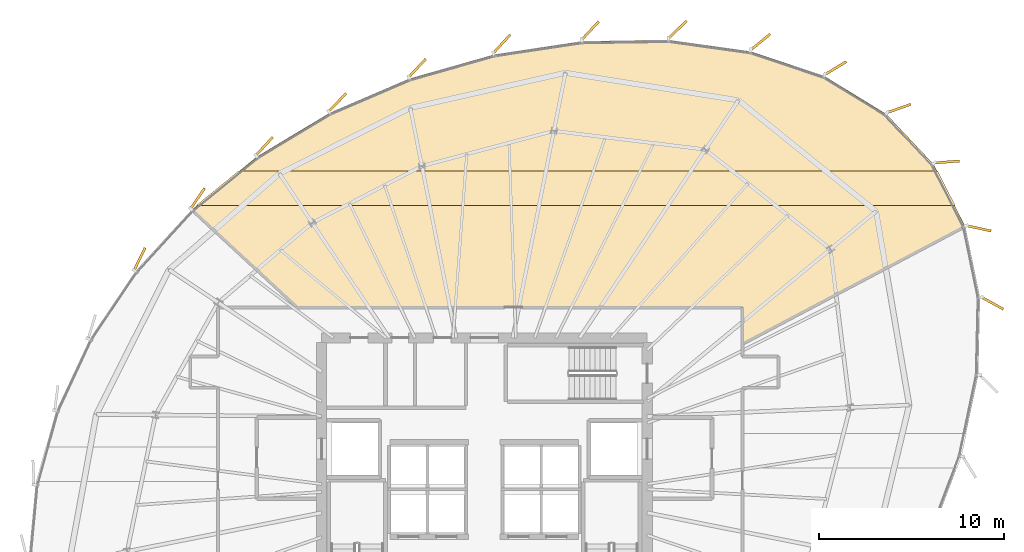
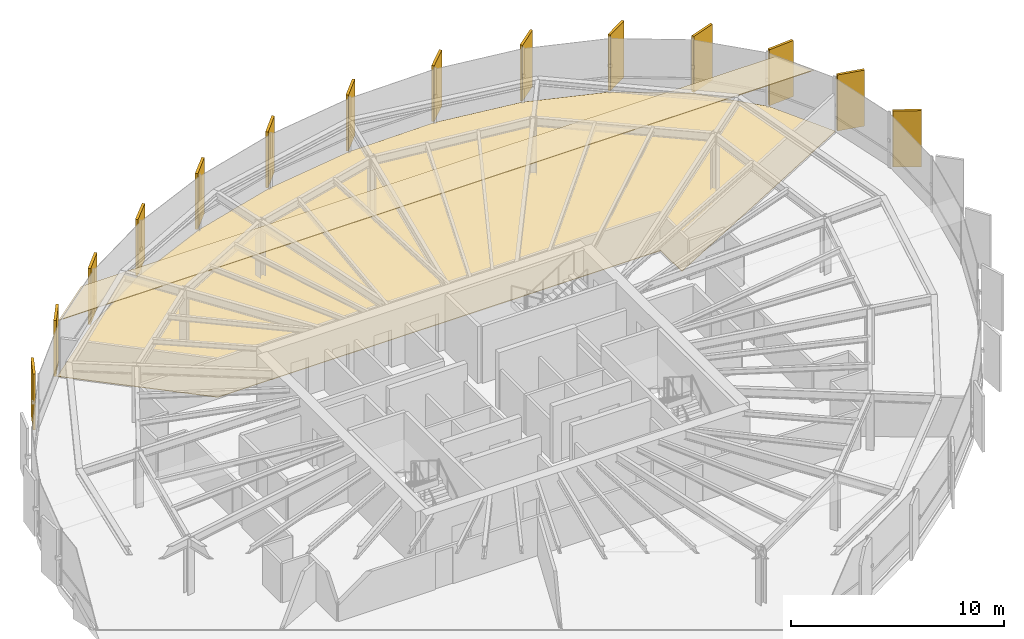
# One storey, part 36 of 36: 16 coverings.
"""IFC4 building model written with IfcOpenShell, lengths in metres."""

from ifc_helpers import new_model, si_unit, direction, frame, origin, origin_2d, place, context, subcontext, project, spatial, polyline, rectangle, outline, extrude, source, transform, mapped, material, layer, layer_set, type_object, element, save


model = new_model("IFC4")

# Units and contexts
model_context = context("Model", 3, precision=1e-05, world=origin(), true_north=direction((0.0, 1.0)))
body_context = subcontext(model_context, "Body", "Model", "MODEL_VIEW")
ifc_project = project(units=[si_unit("LENGTHUNIT", "METRE"), si_unit("AREAUNIT", "SQUARE_METRE"), si_unit("VOLUMEUNIT", "CUBIC_METRE"), si_unit("PLANEANGLEUNIT", "RADIAN"), si_unit("MASSUNIT", "GRAM", prefix="KILO"), si_unit("THERMODYNAMICTEMPERATUREUNIT", "KELVIN")], contexts=[model_context])

# Site, building, storey
site_placement = place(None, origin())
site = spatial("IfcSite", under=ifc_project, at=site_placement, CompositionType="ELEMENT")
building_placement = place(site_placement, origin())
building = spatial("IfcBuilding", under=site, at=building_placement, Name="Kethvar Cultural Tower", CompositionType="ELEMENT")
storey_placement = place(building_placement, frame((0.0, 0.0, 176.39990234375)))
storey = spatial("IfcBuildingStorey", under=building, at=storey_placement, Name="L45", CompositionType="ELEMENT", Elevation=176.39990234375)

# Coverings
ifc_material_1 = material(Name="Acoustic Mineral Fibre Ceiling")
ifc_layer_1 = layer(ifc_material_1, 0.0400390625, Name="Acoustic Mineral Fibre Ceiling")
ifc_layer_set_1 = layer_set([ifc_layer_1], Name="Acoustic Mineral Fibre Ceiling (40 mm)")
covering_type_1 = type_object("IfcCoveringType", Name="CV-ACOUSTIC-CEIL", PredefinedType="CEILING", material=ifc_layer_set_1)
covering_1_placement = place(storey_placement, frame((0.0, 0.0, 3.0)))
element("IfcCovering", 1, at=covering_1_placement, inside=storey, type_object=covering_type_1, Name="L45 Room 04 Acoustic Ceiling Panel", PredefinedType="CEILING", context=body_context, shape_type="SweptSolid", body=[
    extrude(outline(polyline([(72.24462890625, 42.659912109375), (31.2275390625, 42.659912109375), (33.520263671875, 44.52978515625), (71.293701171875, 44.52978515625), (72.24462890625, 42.659912109375)])), origin(), (0.0, 0.0, 1.0), 0.0400390625),
])
ifc_material_2 = material(Name="Honed Warm Limestone", Category="masonry")
ifc_layer_2 = layer(ifc_material_2, 0.030029296875, Name="Honed Warm Limestone", Category="masonry")
ifc_layer_set_2 = layer_set([ifc_layer_2], Name="Honed Warm Limestone (30 mm)")
covering_type_2 = type_object("IfcCoveringType", Name="CV-STONE-FLOOR", PredefinedType="FLOORING", material=ifc_layer_set_2)
covering_2_placement = place(storey_placement, origin())
element("IfcCovering", 2, at=covering_2_placement, inside=storey, type_object=covering_type_2, Name="L45 Room 04 Floor Finish", PredefinedType="FLOORING", context=body_context, shape_type="SweptSolid", body=[
    extrude(outline(polyline([(34.510498046875, 45.285888671875), (38.439453125, 47.650390625), (42.75146484375, 49.501708984375), (47.34716796875, 50.806396484375), (52.077880859375, 51.5185546875), (56.760009765625, 51.588134765625), (61.1904296875, 50.97119140625), (65.168212890625, 49.64013671875), (68.511962890625, 47.593017578125), (71.0791015625, 44.863525390625), (72.77001953125, 41.538818359375), (60.77001953125, 35.200927734375), (60.751953125, 37.169921875), (36.697021484375, 37.169921875), (31.009033203125, 42.429931640625), (34.510498046875, 45.285888671875)])), origin(), (0.0, 0.0, 1.0), 0.030029296875),
])
ifc_material_3 = material(Name="Extruded Architectural Terracotta", Category="masonry")
ifc_layer_3 = layer(ifc_material_3, 0.135009765625, Name="Extruded Architectural Terracotta", Category="masonry")
ifc_layer_set_3 = layer_set([ifc_layer_3], Name="Extruded Architectural Terracotta (135 mm)")
covering_type_3 = type_object("IfcCoveringType", Name="Terracotta Facade Fin FIN-03", PredefinedType="CLADDING", material=ifc_layer_set_3)
shared_shape = source(origin(), body_context, "Body", "SweptSolid", [
    extrude(rectangle(XDim=1.35009765625, YDim=0.135009765625, at=origin_2d()), origin(), (0.0, 0.0, 1.0), 3.219970703125),
])
for number, where, z_axis, x_axis, name in (
    (3, (71.80029296875, 45.009765625, 0.02001953125), (0.0, 0.0, 1.0), (0.99709278554, 0.076196962034, 0.0), "L45 Vertical Terracotta Fin 1.1"),
    (4, (69.20361328125, 47.899658203125, 0.02001953125), (0.0, 0.0, 1.0), (0.944031464141, 0.329855414859, 0.0), "L45 Vertical Terracotta Fin 1.2"),
    (5, (65.78076171875, 50.081787109375, 0.02001953125), (0.0, 0.0, 1.0), (0.857257178748, 0.51488846315, 0.0), "L45 Vertical Terracotta Fin 1.3"),
    (6, (61.728515625, 51.49755859375, 0.02001953125), (0.0, 0.0, 1.0), (0.773950743756, 0.633245802386, 0.0), "L45 Vertical Terracotta Fin 1.4"),
    (7, (57.241455078125, 52.1611328125, 0.02001953125), (0.0, 0.0, 1.0), (0.713372770034, 0.700784767938, 0.0), "L45 Vertical Terracotta Fin 1.5"),
    (8, (52.5244140625, 52.11181640625, 0.02001953125), (0.0, 0.0, 1.0), (0.68123211445, 0.732067487492, 0.0), "L45 Vertical Terracotta Fin 1.6"),
    (9, (47.7392578125, 51.390380859375, 0.02001953125), (0.0, 0.0, 1.0), (0.675075326339, 0.737748808042, 0.0), "L45 Vertical Terracotta Fin 2.1"),
    (10, (43.173583984375, 50.08740234375, 0.02001953125), (0.0, 0.0, 1.0), (0.682381202461, 0.730996507877, 0.0), "L45 Vertical Terracotta Fin 2.2"),
    (11, (38.855224609375, 48.224853515625, 0.02001953125), (0.0, 0.0, 1.0), (0.690630005849, 0.723208265315, 0.0), "L45 Vertical Terracotta Fin 2.3"),
    (12, (34.906982421875, 45.85986328125, 0.02001953125), (0.0, 0.0, 1.0), (0.679313233894, 0.733848438205, 0.0), "L45 Vertical Terracotta Fin 2.4"),
    (13, (31.302001953125, 43.041259765625, 0.02001953125), (0.0, 0.0, 1.0), (0.566550065452, 0.824027319533, 0.0), "L45 Vertical Terracotta Fin 2.5"),
    (14, (28.16796875, 39.766357421875, 0.02001953125), (0.0, 0.0, 1.0), (0.43805738178, 0.898947011936, 0.0), "L45 Vertical Terracotta Fin 2.6"),
    (15, (74.260498046875, 37.37646484375, 0.02001953125), (0.0, 0.0, 1.0), (0.875970139009, -0.482365334125, 0.0), "L45 Vertical Terracotta Fin 6.5"),
    (16, (73.527587890625, 41.422607421875, 0.02001953125), (0.0, 0.0, 1.0), (0.976971153279, -0.213371426534, 0.0), "L45 Vertical Terracotta Fin 6.6"),
):
    element("IfcCovering", number, at=place(storey_placement, frame(where, z_axis=z_axis, x_axis=x_axis)), inside=storey, type_object=covering_type_3, Name=name, PredefinedType="CLADDING", context=body_context, shape_type="MappedRepresentation", body=[
        mapped(shared_shape, transform((0.0, 0.0, 0.0), scale=1.0)),
    ])

save(model, "model.ifc")
